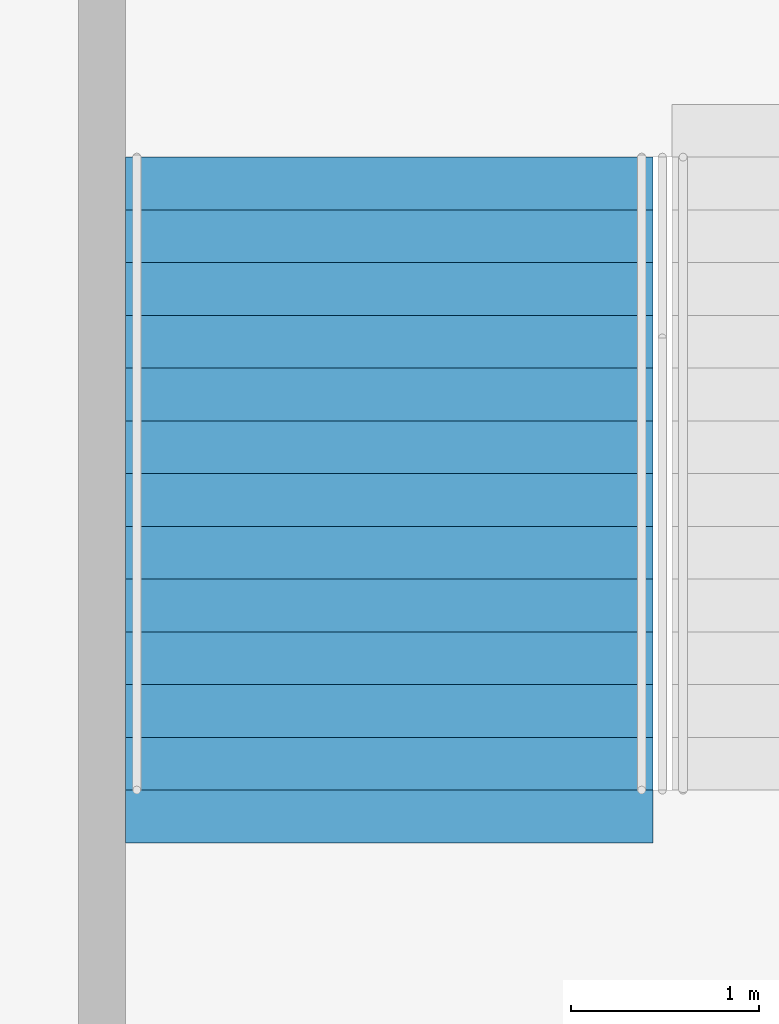
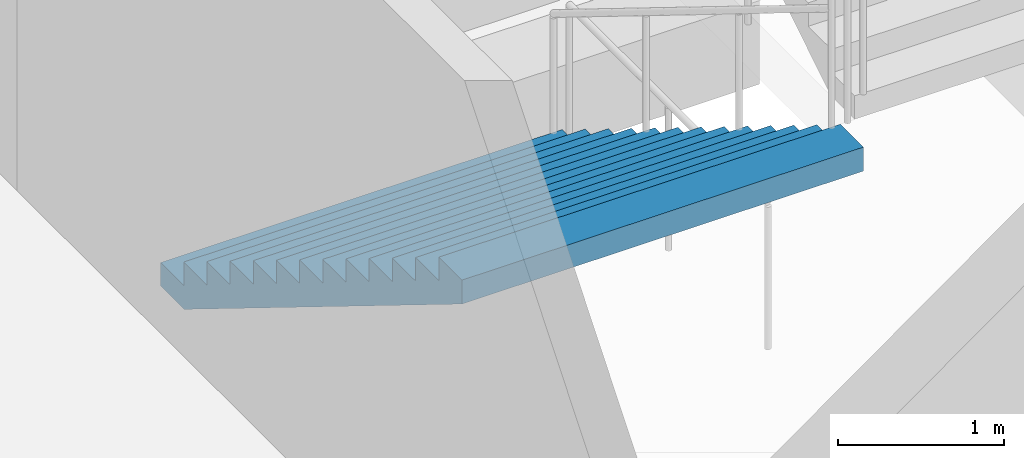
# One storey, part 124 of 199: 1 stair flight, 1 element without a shape of its own.
"""IFC4 building model written with IfcOpenShell, lengths in metres."""

from ifc_helpers import new_model, si_unit, direction, frame, origin, place, context, subcontext, project, spatial, faceted_brep, material, type_object, element, aggregate, save


model = new_model("IFC4")

# Units and contexts
model_context = context("Model", 3, precision=1e-05, world=origin(), true_north=direction((0.0, 1.0)))
body_context = subcontext(model_context, "Body", "Model", "MODEL_VIEW")
ifc_project = project(units=[si_unit("LENGTHUNIT", "METRE"), si_unit("AREAUNIT", "SQUARE_METRE"), si_unit("VOLUMEUNIT", "CUBIC_METRE"), si_unit("PLANEANGLEUNIT", "RADIAN"), si_unit("MASSUNIT", "GRAM", prefix="KILO")], contexts=[model_context])

# Site, building, storey
site_placement = place(None, origin())
site = spatial("IfcSite", under=ifc_project, at=site_placement, CompositionType="ELEMENT")
building_placement = place(site_placement, origin())
building = spatial("IfcBuilding", under=site, at=building_placement, Name="Ogive Plaza Stadium", CompositionType="ELEMENT")
storey_placement = place(building_placement, frame((0.0, 0.0, 4.5)))
storey = spatial("IfcBuildingStorey", under=building, at=storey_placement, Name="L01", CompositionType="ELEMENT", Elevation=4.5)

# Stair, stair flight
ifc_material_1 = material(Name="Concrete C40/50", Category="concrete")
stair_type = type_object("IfcStairType", Name="Exit stair", PredefinedType="STRAIGHT_RUN_STAIR", material=ifc_material_1)
stair_placement = place(storey_placement, origin())
stair = element("IfcStair", 1, at=stair_placement, inside=storey, type_object=stair_type, Name="Exit stair ST12A L01 to L02", PredefinedType="STRAIGHT_RUN_STAIR")
ifc_material_2 = material(Name="Concrete C40/50", Category="concrete")
stair_flight_type = type_object("IfcStairFlightType", Name="Exit stair flight", PredefinedType="STRAIGHT", material=ifc_material_2)
stair_flight_placement = place(storey_placement, frame((29.574951171875, -94.85009765625, 0.0), z_axis=(0.0, 0.0, 1.0), x_axis=(0.0, -1.0, 0.0)))
stair_flight = element("IfcStairFlight", 2, at=stair_flight_placement, type_object=stair_flight_type, Name="ST12A flight 1", NumberOfRisers=13, NumberOfTreads=12, PredefinedType="STRAIGHT", RiserHeight=0.173076923, TreadLength=0.28, context=body_context, shape_type="Brep", body=[
    faceted_brep([(0.28515625, -1.39990234375, 0.0), (3.639892578125, -1.39990234375, 2.07373046875), (3.639892578125, -1.39990234375, 2.25), (3.360107421875, -1.39990234375, 2.25), (3.360107421875, -1.39990234375, 2.076904296875), (3.080078125, -1.39990234375, 2.076904296875), (3.080078125, -1.39990234375, 1.90380859375), (2.800048828125, -1.39990234375, 1.90380859375), (2.800048828125, -1.39990234375, 1.730712890625), (2.52001953125, -1.39990234375, 1.730712890625), (2.52001953125, -1.39990234375, 1.5576171875), (2.239990234375, -1.39990234375, 1.5576171875), (2.239990234375, -1.39990234375, 1.384521484375), (1.9599609375, -1.39990234375, 1.384521484375), (1.9599609375, -1.39990234375, 1.21142578125), (1.679931640625, -1.39990234375, 1.21142578125), (1.679931640625, -1.39990234375, 1.03857421875), (1.39990234375, -1.39990234375, 1.03857421875), (1.39990234375, -1.39990234375, 0.865478515625), (1.1201171875, -1.39990234375, 0.865478515625), (1.1201171875, -1.39990234375, 0.6923828125), (0.840087890625, -1.39990234375, 0.6923828125), (0.840087890625, -1.39990234375, 0.519287109375), (0.56005859375, -1.39990234375, 0.519287109375), (0.56005859375, -1.39990234375, 0.34619140625), (0.280029296875, -1.39990234375, 0.34619140625), (0.280029296875, -1.39990234375, 0.173095703125), (0.0, -1.39990234375, 0.173095703125), (0.0, -1.39990234375, 0.0), (0.0, 1.39990234375, 0.0), (0.0, 1.39990234375, 0.173095703125), (0.280029296875, 1.39990234375, 0.173095703125), (0.280029296875, 1.39990234375, 0.34619140625), (0.56005859375, 1.39990234375, 0.34619140625), (0.56005859375, 1.39990234375, 0.519287109375), (0.840087890625, 1.39990234375, 0.519287109375), (0.840087890625, 1.39990234375, 0.6923828125), (1.1201171875, 1.39990234375, 0.6923828125), (1.1201171875, 1.39990234375, 0.865478515625), (1.39990234375, 1.39990234375, 0.865478515625), (1.39990234375, 1.39990234375, 1.03857421875), (1.679931640625, 1.39990234375, 1.03857421875), (1.679931640625, 1.39990234375, 1.21142578125), (1.9599609375, 1.39990234375, 1.21142578125), (1.9599609375, 1.39990234375, 1.384521484375), (2.239990234375, 1.39990234375, 1.384521484375), (2.239990234375, 1.39990234375, 1.5576171875), (2.52001953125, 1.39990234375, 1.5576171875), (2.52001953125, 1.39990234375, 1.730712890625), (2.800048828125, 1.39990234375, 1.730712890625), (2.800048828125, 1.39990234375, 1.90380859375), (3.080078125, 1.39990234375, 1.90380859375), (3.080078125, 1.39990234375, 2.076904296875), (3.360107421875, 1.39990234375, 2.076904296875), (3.360107421875, 1.39990234375, 2.25), (3.639892578125, 1.39990234375, 2.25), (3.639892578125, 1.39990234375, 2.07373046875), (0.28515625, 1.39990234375, 0.0), (0.28515625, -1.0888671875, 0.0), (3.639892578125, -1.0888671875, 2.07373046875), (0.28515625, -0.77783203125, 0.0), (3.639892578125, -0.77783203125, 2.07373046875), (0.28515625, -0.466796875, 0.0), (3.639892578125, -0.466796875, 2.07373046875), (0.28515625, -0.155517578125, 0.0), (3.639892578125, -0.155517578125, 2.07373046875), (0.28515625, 0.155517578125, 0.0), (3.639892578125, 0.155517578125, 2.07373046875), (0.28515625, 0.466796875, 0.0), (3.639892578125, 0.466796875, 2.07373046875), (0.28515625, 0.77783203125, 0.0), (3.639892578125, 0.77783203125, 2.07373046875), (0.28515625, 1.0888671875, 0.0), (3.639892578125, 1.0888671875, 2.07373046875), (3.639892578125, -1.0888671875, 2.25), (3.639892578125, -0.77783203125, 2.25), (3.639892578125, -0.466796875, 2.25), (3.639892578125, -0.155517578125, 2.25), (3.639892578125, 0.155517578125, 2.25), (3.639892578125, 0.466796875, 2.25), (3.639892578125, 0.77783203125, 2.25), (3.639892578125, 1.0888671875, 2.25), (3.360107421875, -1.0888671875, 2.25), (3.360107421875, -0.77783203125, 2.25), (3.360107421875, -0.466796875, 2.25), (3.360107421875, -0.155517578125, 2.25), (3.360107421875, 0.155517578125, 2.25), (3.360107421875, 0.466796875, 2.25), (3.360107421875, 0.77783203125, 2.25), (3.360107421875, 1.0888671875, 2.25), (3.360107421875, -1.0888671875, 2.076904296875), (3.360107421875, -0.77783203125, 2.076904296875), (3.360107421875, -0.466796875, 2.076904296875), (3.360107421875, -0.155517578125, 2.076904296875), (3.360107421875, 0.155517578125, 2.076904296875), (3.360107421875, 0.466796875, 2.076904296875), (3.360107421875, 0.77783203125, 2.076904296875), (3.360107421875, 1.0888671875, 2.076904296875), (3.080078125, -1.0888671875, 2.076904296875), (3.080078125, -0.77783203125, 2.076904296875), (3.080078125, -0.466796875, 2.076904296875), (3.080078125, -0.155517578125, 2.076904296875), (3.080078125, 0.155517578125, 2.076904296875), (3.080078125, 0.466796875, 2.076904296875), (3.080078125, 0.77783203125, 2.076904296875), (3.080078125, 1.0888671875, 2.076904296875), (3.080078125, -1.0888671875, 1.90380859375), (3.080078125, -0.77783203125, 1.90380859375), (3.080078125, -0.466796875, 1.90380859375), (3.080078125, -0.155517578125, 1.90380859375), (3.080078125, 0.155517578125, 1.90380859375), (3.080078125, 0.466796875, 1.90380859375), (3.080078125, 0.77783203125, 1.90380859375), (3.080078125, 1.0888671875, 1.90380859375), (2.800048828125, -1.0888671875, 1.90380859375), (2.800048828125, -0.77783203125, 1.90380859375), (2.800048828125, -0.466796875, 1.90380859375), (2.800048828125, -0.155517578125, 1.90380859375), (2.800048828125, 0.155517578125, 1.90380859375), (2.800048828125, 0.466796875, 1.90380859375), (2.800048828125, 0.77783203125, 1.90380859375), (2.800048828125, 1.0888671875, 1.90380859375), (2.800048828125, -1.0888671875, 1.730712890625), (2.800048828125, -0.77783203125, 1.730712890625), (2.800048828125, -0.466796875, 1.730712890625), (2.800048828125, -0.155517578125, 1.730712890625), (2.800048828125, 0.155517578125, 1.730712890625), (2.800048828125, 0.466796875, 1.730712890625), (2.800048828125, 0.77783203125, 1.730712890625), (2.800048828125, 1.0888671875, 1.730712890625), (2.52001953125, -1.0888671875, 1.730712890625), (2.52001953125, -0.77783203125, 1.730712890625), (2.52001953125, -0.466796875, 1.730712890625), (2.52001953125, -0.155517578125, 1.730712890625), (2.52001953125, 0.155517578125, 1.730712890625), (2.52001953125, 0.466796875, 1.730712890625), (2.52001953125, 0.77783203125, 1.730712890625), (2.52001953125, 1.0888671875, 1.730712890625), (2.52001953125, -1.0888671875, 1.5576171875), (2.52001953125, -0.77783203125, 1.5576171875), (2.52001953125, -0.466796875, 1.5576171875), (2.52001953125, -0.155517578125, 1.5576171875), (2.52001953125, 0.155517578125, 1.5576171875), (2.52001953125, 0.466796875, 1.5576171875), (2.52001953125, 0.77783203125, 1.5576171875), (2.52001953125, 1.0888671875, 1.5576171875), (2.239990234375, -1.0888671875, 1.5576171875), (2.239990234375, -0.77783203125, 1.5576171875), (2.239990234375, -0.466796875, 1.5576171875), (2.239990234375, -0.155517578125, 1.5576171875), (2.239990234375, 0.155517578125, 1.5576171875), (2.239990234375, 0.466796875, 1.5576171875), (2.239990234375, 0.77783203125, 1.5576171875), (2.239990234375, 1.0888671875, 1.5576171875), (2.239990234375, -1.0888671875, 1.384521484375), (2.239990234375, -0.77783203125, 1.384521484375), (2.239990234375, -0.466796875, 1.384521484375), (2.239990234375, -0.155517578125, 1.384521484375), (2.239990234375, 0.155517578125, 1.384521484375), (2.239990234375, 0.466796875, 1.384521484375), (2.239990234375, 0.77783203125, 1.384521484375), (2.239990234375, 1.0888671875, 1.384521484375), (1.9599609375, -1.0888671875, 1.384521484375), (1.9599609375, -0.77783203125, 1.384521484375), (1.9599609375, -0.466796875, 1.384521484375), (1.9599609375, -0.155517578125, 1.384521484375), (1.9599609375, 0.155517578125, 1.384521484375), (1.9599609375, 0.466796875, 1.384521484375), (1.9599609375, 0.77783203125, 1.384521484375), (1.9599609375, 1.0888671875, 1.384521484375), (1.9599609375, -1.0888671875, 1.21142578125), (1.9599609375, -0.77783203125, 1.21142578125), (1.9599609375, -0.466796875, 1.21142578125), (1.9599609375, -0.155517578125, 1.21142578125), (1.9599609375, 0.155517578125, 1.21142578125), (1.9599609375, 0.466796875, 1.21142578125), (1.9599609375, 0.77783203125, 1.21142578125), (1.9599609375, 1.0888671875, 1.21142578125), (1.679931640625, -1.0888671875, 1.21142578125), (1.679931640625, -0.77783203125, 1.21142578125), (1.679931640625, -0.466796875, 1.21142578125), (1.679931640625, -0.155517578125, 1.21142578125), (1.679931640625, 0.155517578125, 1.21142578125), (1.679931640625, 0.466796875, 1.21142578125), (1.679931640625, 0.77783203125, 1.21142578125), (1.679931640625, 1.0888671875, 1.21142578125), (1.679931640625, -1.0888671875, 1.03857421875), (1.679931640625, -0.77783203125, 1.03857421875), (1.679931640625, -0.466796875, 1.03857421875), (1.679931640625, -0.155517578125, 1.03857421875), (1.679931640625, 0.155517578125, 1.03857421875), (1.679931640625, 0.466796875, 1.03857421875), (1.679931640625, 0.77783203125, 1.03857421875), (1.679931640625, 1.0888671875, 1.03857421875), (1.39990234375, -1.0888671875, 1.03857421875), (1.39990234375, -0.77783203125, 1.03857421875), (1.39990234375, -0.466796875, 1.03857421875), (1.39990234375, -0.155517578125, 1.03857421875), (1.39990234375, 0.155517578125, 1.03857421875), (1.39990234375, 0.466796875, 1.03857421875), (1.39990234375, 0.77783203125, 1.03857421875), (1.39990234375, 1.0888671875, 1.03857421875), (1.39990234375, -1.0888671875, 0.865478515625), (1.39990234375, -0.77783203125, 0.865478515625), (1.39990234375, -0.466796875, 0.865478515625), (1.39990234375, -0.155517578125, 0.865478515625), (1.39990234375, 0.155517578125, 0.865478515625), (1.39990234375, 0.466796875, 0.865478515625), (1.39990234375, 0.77783203125, 0.865478515625), (1.39990234375, 1.0888671875, 0.865478515625), (1.1201171875, -1.0888671875, 0.865478515625), (1.1201171875, -0.77783203125, 0.865478515625), (1.1201171875, -0.466796875, 0.865478515625), (1.1201171875, -0.155517578125, 0.865478515625), (1.1201171875, 0.155517578125, 0.865478515625), (1.1201171875, 0.466796875, 0.865478515625), (1.1201171875, 0.77783203125, 0.865478515625), (1.1201171875, 1.0888671875, 0.865478515625), (1.1201171875, -1.0888671875, 0.6923828125), (1.1201171875, -0.77783203125, 0.6923828125), (1.1201171875, -0.466796875, 0.6923828125), (1.1201171875, -0.155517578125, 0.6923828125), (1.1201171875, 0.155517578125, 0.6923828125), (1.1201171875, 0.466796875, 0.6923828125), (1.1201171875, 0.77783203125, 0.6923828125), (1.1201171875, 1.0888671875, 0.6923828125), (0.840087890625, -1.0888671875, 0.6923828125), (0.840087890625, -0.77783203125, 0.6923828125), (0.840087890625, -0.466796875, 0.6923828125), (0.840087890625, -0.155517578125, 0.6923828125), (0.840087890625, 0.155517578125, 0.6923828125), (0.840087890625, 0.466796875, 0.6923828125), (0.840087890625, 0.77783203125, 0.6923828125), (0.840087890625, 1.0888671875, 0.6923828125), (0.840087890625, -1.0888671875, 0.519287109375), (0.840087890625, -0.77783203125, 0.519287109375), (0.840087890625, -0.466796875, 0.519287109375), (0.840087890625, -0.155517578125, 0.519287109375), (0.840087890625, 0.155517578125, 0.519287109375), (0.840087890625, 0.466796875, 0.519287109375), (0.840087890625, 0.77783203125, 0.519287109375), (0.840087890625, 1.0888671875, 0.519287109375), (0.56005859375, -1.0888671875, 0.519287109375), (0.56005859375, -0.77783203125, 0.519287109375), (0.56005859375, -0.466796875, 0.519287109375), (0.56005859375, -0.155517578125, 0.519287109375), (0.56005859375, 0.155517578125, 0.519287109375), (0.56005859375, 0.466796875, 0.519287109375), (0.56005859375, 0.77783203125, 0.519287109375), (0.56005859375, 1.0888671875, 0.519287109375), (0.56005859375, -1.0888671875, 0.34619140625), (0.56005859375, -0.77783203125, 0.34619140625), (0.56005859375, -0.466796875, 0.34619140625), (0.56005859375, -0.155517578125, 0.34619140625), (0.56005859375, 0.155517578125, 0.34619140625), (0.56005859375, 0.466796875, 0.34619140625), (0.56005859375, 0.77783203125, 0.34619140625), (0.56005859375, 1.0888671875, 0.34619140625), (0.280029296875, -1.0888671875, 0.34619140625), (0.280029296875, -0.77783203125, 0.34619140625), (0.280029296875, -0.466796875, 0.34619140625), (0.280029296875, -0.155517578125, 0.34619140625), (0.280029296875, 0.155517578125, 0.34619140625), (0.280029296875, 0.466796875, 0.34619140625), (0.280029296875, 0.77783203125, 0.34619140625), (0.280029296875, 1.0888671875, 0.34619140625), (0.280029296875, -1.0888671875, 0.173095703125), (0.280029296875, -0.77783203125, 0.173095703125), (0.280029296875, -0.466796875, 0.173095703125), (0.280029296875, -0.155517578125, 0.173095703125), (0.280029296875, 0.155517578125, 0.173095703125), (0.280029296875, 0.466796875, 0.173095703125), (0.280029296875, 0.77783203125, 0.173095703125), (0.280029296875, 1.0888671875, 0.173095703125), (0.0, -1.0888671875, 0.173095703125), (0.0, -0.77783203125, 0.173095703125), (0.0, -0.466796875, 0.173095703125), (0.0, -0.155517578125, 0.173095703125), (0.0, 0.155517578125, 0.173095703125), (0.0, 0.466796875, 0.173095703125), (0.0, 0.77783203125, 0.173095703125), (0.0, 1.0888671875, 0.173095703125), (0.0, -1.0888671875, 0.0), (0.0, -0.77783203125, 0.0), (0.0, -0.466796875, 0.0), (0.0, -0.155517578125, 0.0), (0.0, 0.155517578125, 0.0), (0.0, 0.466796875, 0.0), (0.0, 0.77783203125, 0.0), (0.0, 1.0888671875, 0.0)], [[[0, 1, 2, 3, 4, 5, 6, 7, 8, 9, 10, 11, 12, 13, 14, 15, 16, 17, 18, 19, 20, 21, 22, 23, 24, 25, 26, 27, 28]], [[29, 30, 31, 32, 33, 34, 35, 36, 37, 38, 39, 40, 41, 42, 43, 44, 45, 46, 47, 48, 49, 50, 51, 52, 53, 54, 55, 56, 57]], [[0, 58, 59, 1]], [[58, 60, 61, 59]], [[60, 62, 63, 61]], [[62, 64, 65, 63]], [[64, 66, 67, 65]], [[66, 68, 69, 67]], [[68, 70, 71, 69]], [[70, 72, 73, 71]], [[72, 57, 56, 73]], [[1, 59, 74, 2]], [[59, 61, 75, 74]], [[61, 63, 76, 75]], [[63, 65, 77, 76]], [[65, 67, 78, 77]], [[67, 69, 79, 78]], [[69, 71, 80, 79]], [[71, 73, 81, 80]], [[73, 56, 55, 81]], [[2, 74, 82, 3]], [[74, 75, 83, 82]], [[75, 76, 84, 83]], [[76, 77, 85, 84]], [[77, 78, 86, 85]], [[78, 79, 87, 86]], [[79, 80, 88, 87]], [[80, 81, 89, 88]], [[81, 55, 54, 89]], [[3, 82, 90, 4]], [[82, 83, 91, 90]], [[83, 84, 92, 91]], [[84, 85, 93, 92]], [[85, 86, 94, 93]], [[86, 87, 95, 94]], [[87, 88, 96, 95]], [[88, 89, 97, 96]], [[89, 54, 53, 97]], [[4, 90, 98, 5]], [[90, 91, 99, 98]], [[91, 92, 100, 99]], [[92, 93, 101, 100]], [[93, 94, 102, 101]], [[94, 95, 103, 102]], [[95, 96, 104, 103]], [[96, 97, 105, 104]], [[97, 53, 52, 105]], [[5, 98, 106, 6]], [[98, 99, 107, 106]], [[99, 100, 108, 107]], [[100, 101, 109, 108]], [[101, 102, 110, 109]], [[102, 103, 111, 110]], [[103, 104, 112, 111]], [[104, 105, 113, 112]], [[105, 52, 51, 113]], [[6, 106, 114, 7]], [[106, 107, 115, 114]], [[107, 108, 116, 115]], [[108, 109, 117, 116]], [[109, 110, 118, 117]], [[110, 111, 119, 118]], [[111, 112, 120, 119]], [[112, 113, 121, 120]], [[113, 51, 50, 121]], [[7, 114, 122, 8]], [[114, 115, 123, 122]], [[115, 116, 124, 123]], [[116, 117, 125, 124]], [[117, 118, 126, 125]], [[118, 119, 127, 126]], [[119, 120, 128, 127]], [[120, 121, 129, 128]], [[121, 50, 49, 129]], [[8, 122, 130, 9]], [[122, 123, 131, 130]], [[123, 124, 132, 131]], [[124, 125, 133, 132]], [[125, 126, 134, 133]], [[126, 127, 135, 134]], [[127, 128, 136, 135]], [[128, 129, 137, 136]], [[129, 49, 48, 137]], [[9, 130, 138, 10]], [[130, 131, 139, 138]], [[131, 132, 140, 139]], [[132, 133, 141, 140]], [[133, 134, 142, 141]], [[134, 135, 143, 142]], [[135, 136, 144, 143]], [[136, 137, 145, 144]], [[137, 48, 47, 145]], [[10, 138, 146, 11]], [[138, 139, 147, 146]], [[139, 140, 148, 147]], [[140, 141, 149, 148]], [[141, 142, 150, 149]], [[142, 143, 151, 150]], [[143, 144, 152, 151]], [[144, 145, 153, 152]], [[145, 47, 46, 153]], [[11, 146, 154, 12]], [[146, 147, 155, 154]], [[147, 148, 156, 155]], [[148, 149, 157, 156]], [[149, 150, 158, 157]], [[150, 151, 159, 158]], [[151, 152, 160, 159]], [[152, 153, 161, 160]], [[153, 46, 45, 161]], [[12, 154, 162, 13]], [[154, 155, 163, 162]], [[155, 156, 164, 163]], [[156, 157, 165, 164]], [[157, 158, 166, 165]], [[158, 159, 167, 166]], [[159, 160, 168, 167]], [[160, 161, 169, 168]], [[161, 45, 44, 169]], [[13, 162, 170, 14]], [[162, 163, 171, 170]], [[163, 164, 172, 171]], [[164, 165, 173, 172]], [[165, 166, 174, 173]], [[166, 167, 175, 174]], [[167, 168, 176, 175]], [[168, 169, 177, 176]], [[169, 44, 43, 177]], [[14, 170, 178, 15]], [[170, 171, 179, 178]], [[171, 172, 180, 179]], [[172, 173, 181, 180]], [[173, 174, 182, 181]], [[174, 175, 183, 182]], [[175, 176, 184, 183]], [[176, 177, 185, 184]], [[177, 43, 42, 185]], [[15, 178, 186, 16]], [[178, 179, 187, 186]], [[179, 180, 188, 187]], [[180, 181, 189, 188]], [[181, 182, 190, 189]], [[182, 183, 191, 190]], [[183, 184, 192, 191]], [[184, 185, 193, 192]], [[185, 42, 41, 193]], [[16, 186, 194, 17]], [[186, 187, 195, 194]], [[187, 188, 196, 195]], [[188, 189, 197, 196]], [[189, 190, 198, 197]], [[190, 191, 199, 198]], [[191, 192, 200, 199]], [[192, 193, 201, 200]], [[193, 41, 40, 201]], [[17, 194, 202, 18]], [[194, 195, 203, 202]], [[195, 196, 204, 203]], [[196, 197, 205, 204]], [[197, 198, 206, 205]], [[198, 199, 207, 206]], [[199, 200, 208, 207]], [[200, 201, 209, 208]], [[201, 40, 39, 209]], [[18, 202, 210, 19]], [[202, 203, 211, 210]], [[203, 204, 212, 211]], [[204, 205, 213, 212]], [[205, 206, 214, 213]], [[206, 207, 215, 214]], [[207, 208, 216, 215]], [[208, 209, 217, 216]], [[209, 39, 38, 217]], [[19, 210, 218, 20]], [[210, 211, 219, 218]], [[211, 212, 220, 219]], [[212, 213, 221, 220]], [[213, 214, 222, 221]], [[214, 215, 223, 222]], [[215, 216, 224, 223]], [[216, 217, 225, 224]], [[217, 38, 37, 225]], [[20, 218, 226, 21]], [[218, 219, 227, 226]], [[219, 220, 228, 227]], [[220, 221, 229, 228]], [[221, 222, 230, 229]], [[222, 223, 231, 230]], [[223, 224, 232, 231]], [[224, 225, 233, 232]], [[225, 37, 36, 233]], [[21, 226, 234, 22]], [[226, 227, 235, 234]], [[227, 228, 236, 235]], [[228, 229, 237, 236]], [[229, 230, 238, 237]], [[230, 231, 239, 238]], [[231, 232, 240, 239]], [[232, 233, 241, 240]], [[233, 36, 35, 241]], [[22, 234, 242, 23]], [[234, 235, 243, 242]], [[235, 236, 244, 243]], [[236, 237, 245, 244]], [[237, 238, 246, 245]], [[238, 239, 247, 246]], [[239, 240, 248, 247]], [[240, 241, 249, 248]], [[241, 35, 34, 249]], [[23, 242, 250, 24]], [[242, 243, 251, 250]], [[243, 244, 252, 251]], [[244, 245, 253, 252]], [[245, 246, 254, 253]], [[246, 247, 255, 254]], [[247, 248, 256, 255]], [[248, 249, 257, 256]], [[249, 34, 33, 257]], [[24, 250, 258, 25]], [[250, 251, 259, 258]], [[251, 252, 260, 259]], [[252, 253, 261, 260]], [[253, 254, 262, 261]], [[254, 255, 263, 262]], [[255, 256, 264, 263]], [[256, 257, 265, 264]], [[257, 33, 32, 265]], [[25, 258, 266, 26]], [[258, 259, 267, 266]], [[259, 260, 268, 267]], [[260, 261, 269, 268]], [[261, 262, 270, 269]], [[262, 263, 271, 270]], [[263, 264, 272, 271]], [[264, 265, 273, 272]], [[265, 32, 31, 273]], [[26, 266, 274, 27]], [[266, 267, 275, 274]], [[267, 268, 276, 275]], [[268, 269, 277, 276]], [[269, 270, 278, 277]], [[270, 271, 279, 278]], [[271, 272, 280, 279]], [[272, 273, 281, 280]], [[273, 31, 30, 281]], [[27, 274, 282, 28]], [[274, 275, 283, 282]], [[275, 276, 284, 283]], [[276, 277, 285, 284]], [[277, 278, 286, 285]], [[278, 279, 287, 286]], [[279, 280, 288, 287]], [[280, 281, 289, 288]], [[281, 30, 29, 289]], [[28, 282, 58, 0]], [[282, 283, 60, 58]], [[283, 284, 62, 60]], [[284, 285, 64, 62]], [[285, 286, 66, 64]], [[286, 287, 68, 66]], [[287, 288, 70, 68]], [[288, 289, 72, 70]], [[289, 29, 57, 72]]]),
])
aggregate(stair, [stair_flight])

save(model, "model.ifc")
